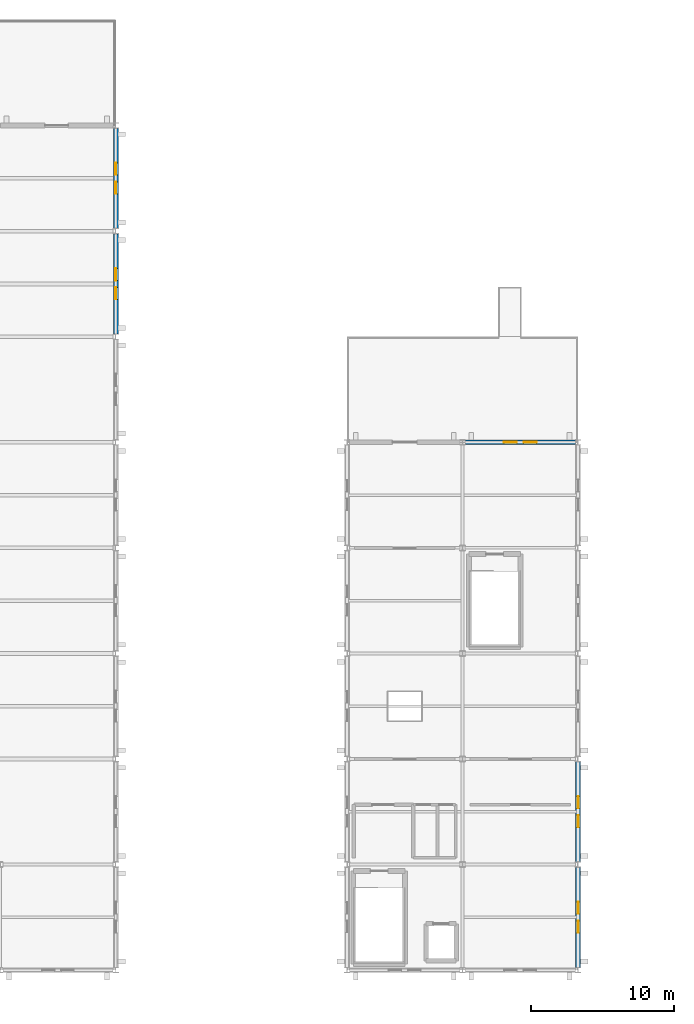
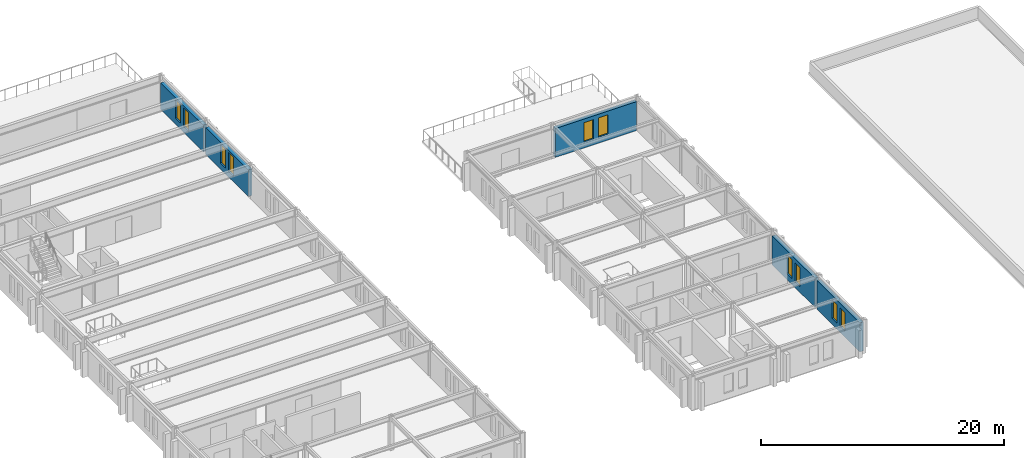
# One storey, part 14 of 19: 10 windows, 5 walls, 10 openings.
"""IFC4 building model written with IfcOpenShell, lengths in metres."""

from ifc_helpers import new_model, si_unit, direction, frame, frame_2d, origin, place, context, subcontext, project, spatial, rectangle, extrude, material, layer, layer_set, type_object, element, fill, save


model = new_model("IFC4")

# Units and contexts
model_context = context("Model", 3, precision=1e-05, world=origin(), true_north=direction((0.0, 1.0)))
body_context = subcontext(model_context, "Body", "Model", "MODEL_VIEW")
ifc_project = project(units=[si_unit("LENGTHUNIT", "METRE"), si_unit("AREAUNIT", "SQUARE_METRE"), si_unit("VOLUMEUNIT", "CUBIC_METRE"), si_unit("PLANEANGLEUNIT", "RADIAN"), si_unit("MASSUNIT", "GRAM", prefix="KILO")], contexts=[model_context])

# Site, building, storey
site_placement = place(None, origin())
site = spatial("IfcSite", under=ifc_project, at=site_placement, CompositionType="ELEMENT")
building_placement = place(site_placement, origin())
building = spatial("IfcBuilding", under=site, at=building_placement, Name="Cimatlan Art Gallery", CompositionType="ELEMENT")
storey_placement = place(building_placement, frame((0.0, 0.0, 17.39990234375)))
storey = spatial("IfcBuildingStorey", under=building, at=storey_placement, Name="L04", CompositionType="ELEMENT", Elevation=17.39990234375)

# Wall, openings, windows
ifc_material_1 = material(Name="Precast concrete C40/50", Category="concrete")
ifc_layer = layer(ifc_material_1, 0.340087890625)
ifc_layer_set = layer_set([ifc_layer], Name="Precast concrete C40/50")
wall_type = type_object("IfcWallType", Name="WL-EXT-STD-340", PredefinedType="SOLIDWALL", material=ifc_layer_set)
wall_1_placement = place(storey_placement, frame((99.199951171875, 75.508056640625, 0.0), z_axis=(0.0, 0.0, 1.0), x_axis=(0.0, -1.0, 0.0)))
wall_1 = element("IfcWall", 1, at=wall_1_placement, inside=storey, type_object=wall_type, Name="WL-EXT-L04-11-09-E", PredefinedType="SOLIDWALL", context=body_context, shape_type="SweptSolid", body=[
    extrude(rectangle(XDim=7.01611328125, YDim=0.340087890625, at=frame_2d((3.508056640625, 0.0))), origin(), (0.0, 0.0, 1.0), 2.68115234375),
])
opening_1_placement = place(wall_1_placement, frame((2.41796875, 0.0, 0.60009765625)))
opening_1 = element("IfcOpeningElement", 2, at=opening_1_placement, cuts=wall_1, Name="Opening WN-0365", PredefinedType="OPENING", context=body_context, shape_type="SweptSolid", body=[
    extrude(rectangle(XDim=0.85009765625, YDim=1.8798828125, at=frame_2d((0.425048828125, 0.93994140625))), frame((0.0, 0.18017578125, 0.0), z_axis=(0.0, -1.0, 0.0), x_axis=(1.0, 0.0, 0.0)), (0.0, 0.0, 1.0), 0.360107421875),
])
opening_2_placement = place(wall_1_placement, frame((3.748046875, 0.0, 0.60009765625)))
opening_2 = element("IfcOpeningElement", 3, at=opening_2_placement, cuts=wall_1, Name="Opening WN-0366", PredefinedType="OPENING", context=body_context, shape_type="SweptSolid", body=[
    extrude(rectangle(XDim=0.85009765625, YDim=1.8798828125, at=frame_2d((0.425048828125, 0.93994140625))), frame((0.0, 0.18017578125, 0.0), z_axis=(0.0, -1.0, 0.0), x_axis=(1.0, 0.0, 0.0)), (0.0, 0.0, 1.0), 0.360107421875),
])
ifc_material_2 = material(Name="Low-E laminated double glazing in bronze lancet frame", Category="glass")
window_type_1 = type_object("IfcWindowType", Name="WIN-E-L04-0850X1880", PartitioningType="SINGLE_PANEL", PredefinedType="WINDOW", material=ifc_material_2)
window_1_placement = place(opening_1_placement, origin())
window_1 = element("IfcWindow", 4, at=window_1_placement, inside=storey, type_object=window_type_1, Name="WIN-0365", OverallHeight=1.8798828125, OverallWidth=0.85009765625, PartitioningType="SINGLE_PANEL", PredefinedType="WINDOW", context=body_context, shape_type="SweptSolid", body=[
    extrude(rectangle(XDim=0.85009765625, YDim=1.8798828125, at=frame_2d((0.425048828125, 0.93994140625))), frame((0.0, 0.030029296875, 0.0), z_axis=(0.0, -1.0, 0.0), x_axis=(1.0, 0.0, 0.0)), (0.0, 0.0, 1.0), 0.06005859375),
])
fill(opening_1, window_1)
window_2_placement = place(opening_2_placement, origin())
window_2 = element("IfcWindow", 5, at=window_2_placement, inside=storey, type_object=window_type_1, Name="WIN-0366", OverallHeight=1.8798828125, OverallWidth=0.85009765625, PartitioningType="SINGLE_PANEL", PredefinedType="WINDOW", context=body_context, shape_type="SweptSolid", body=[
    extrude(rectangle(XDim=0.85009765625, YDim=1.8798828125, at=frame_2d((0.425048828125, 0.93994140625))), frame((0.0, 0.030029296875, 0.0), z_axis=(0.0, -1.0, 0.0), x_axis=(1.0, 0.0, 0.0)), (0.0, 0.0, 1.0), 0.06005859375),
])
fill(opening_2, window_2)

wall_2_placement = place(storey_placement, frame((99.199951171875, 82.907958984375, 0.0), z_axis=(0.0, 0.0, 1.0), x_axis=(0.0, -1.0, 0.0)))
wall_2 = element("IfcWall", 6, at=wall_2_placement, inside=storey, type_object=wall_type, Name="WL-EXT-L04-11-10-E", PredefinedType="SOLIDWALL", context=body_context, shape_type="SweptSolid", body=[
    extrude(rectangle(XDim=7.015869140625, YDim=0.340087890625, at=frame_2d((3.5078125, 0.0))), origin(), (0.0, 0.0, 1.0), 2.68115234375),
])
opening_3_placement = place(wall_2_placement, frame((2.41796875, 0.0, 0.60009765625)))
opening_3 = element("IfcOpeningElement", 7, at=opening_3_placement, cuts=wall_2, Name="Opening WN-0367", PredefinedType="OPENING", context=body_context, shape_type="SweptSolid", body=[
    extrude(rectangle(XDim=0.85009765625, YDim=1.8798828125, at=frame_2d((0.425048828125, 0.93994140625))), frame((0.0, 0.18017578125, 0.0), z_axis=(0.0, -1.0, 0.0), x_axis=(1.0, 0.0, 0.0)), (0.0, 0.0, 1.0), 0.360107421875),
])
opening_4_placement = place(wall_2_placement, frame((3.748046875, 0.0, 0.60009765625)))
opening_4 = element("IfcOpeningElement", 8, at=opening_4_placement, cuts=wall_2, Name="Opening WN-0368", PredefinedType="OPENING", context=body_context, shape_type="SweptSolid", body=[
    extrude(rectangle(XDim=0.85009765625, YDim=1.8798828125, at=frame_2d((0.425048828125, 0.93994140625))), frame((0.0, 0.18017578125, 0.0), z_axis=(0.0, -1.0, 0.0), x_axis=(1.0, 0.0, 0.0)), (0.0, 0.0, 1.0), 0.360107421875),
])
window_3_placement = place(opening_3_placement, origin())
window_3 = element("IfcWindow", 9, at=window_3_placement, inside=storey, type_object=window_type_1, Name="WIN-0367", OverallHeight=1.8798828125, OverallWidth=0.85009765625, PartitioningType="SINGLE_PANEL", PredefinedType="WINDOW", context=body_context, shape_type="SweptSolid", body=[
    extrude(rectangle(XDim=0.85009765625, YDim=1.8798828125, at=frame_2d((0.425048828125, 0.93994140625))), frame((0.0, 0.030029296875, 0.0), z_axis=(0.0, -1.0, 0.0), x_axis=(1.0, 0.0, 0.0)), (0.0, 0.0, 1.0), 0.06005859375),
])
fill(opening_3, window_3)
window_4_placement = place(opening_4_placement, origin())
window_4 = element("IfcWindow", 10, at=window_4_placement, inside=storey, type_object=window_type_1, Name="WIN-0368", OverallHeight=1.8798828125, OverallWidth=0.85009765625, PartitioningType="SINGLE_PANEL", PredefinedType="WINDOW", context=body_context, shape_type="SweptSolid", body=[
    extrude(rectangle(XDim=0.85009765625, YDim=1.8798828125, at=frame_2d((0.425048828125, 0.93994140625))), frame((0.0, 0.030029296875, 0.0), z_axis=(0.0, -1.0, 0.0), x_axis=(1.0, 0.0, 0.0)), (0.0, 0.0, 1.0), 0.06005859375),
])
fill(opening_4, window_4)

wall_3_placement = place(storey_placement, frame((131.60009765625, 31.110107421875, 0.0), z_axis=(0.0, 0.0, 1.0), x_axis=(0.0, -1.0, 0.0)))
wall_3 = element("IfcWall", 11, at=wall_3_placement, inside=storey, type_object=wall_type, Name="WL-EXT-L04-15-03-E", PredefinedType="SOLIDWALL", context=body_context, shape_type="SweptSolid", body=[
    extrude(rectangle(XDim=7.02001953125, YDim=0.340087890625, at=frame_2d((3.510009765625, 0.0))), origin(), (0.0, 0.0, 1.0), 2.908203125),
])
opening_5_placement = place(wall_3_placement, frame((2.419921875, 0.0, 0.60009765625)))
opening_5 = element("IfcOpeningElement", 12, at=opening_5_placement, cuts=wall_3, Name="Opening WN-0383", PredefinedType="OPENING", context=body_context, shape_type="SweptSolid", body=[
    extrude(rectangle(XDim=0.85009765625, YDim=1.8798828125, at=frame_2d((0.425048828125, 0.93994140625))), frame((0.0, 0.18017578125, 0.0), z_axis=(0.0, -1.0, 0.0), x_axis=(1.0, 0.0, 0.0)), (0.0, 0.0, 1.0), 0.360107421875),
])
opening_6_placement = place(wall_3_placement, frame((3.75, 0.0, 0.60009765625)))
opening_6 = element("IfcOpeningElement", 13, at=opening_6_placement, cuts=wall_3, Name="Opening WN-0384", PredefinedType="OPENING", context=body_context, shape_type="SweptSolid", body=[
    extrude(rectangle(XDim=0.85009765625, YDim=1.8798828125, at=frame_2d((0.425048828125, 0.93994140625))), frame((0.0, 0.18017578125, 0.0), z_axis=(0.0, -1.0, 0.0), x_axis=(1.0, 0.0, 0.0)), (0.0, 0.0, 1.0), 0.360107421875),
])
window_5_placement = place(opening_5_placement, origin())
window_5 = element("IfcWindow", 14, at=window_5_placement, inside=storey, type_object=window_type_1, Name="WIN-0383", OverallHeight=1.8798828125, OverallWidth=0.85009765625, PartitioningType="SINGLE_PANEL", PredefinedType="WINDOW", context=body_context, shape_type="SweptSolid", body=[
    extrude(rectangle(XDim=0.85009765625, YDim=1.8798828125, at=frame_2d((0.425048828125, 0.93994140625))), frame((0.0, 0.030029296875, 0.0), z_axis=(0.0, -1.0, 0.0), x_axis=(1.0, 0.0, 0.0)), (0.0, 0.0, 1.0), 0.06005859375),
])
fill(opening_5, window_5)
window_6_placement = place(opening_6_placement, origin())
window_6 = element("IfcWindow", 15, at=window_6_placement, inside=storey, type_object=window_type_1, Name="WIN-0384", OverallHeight=1.8798828125, OverallWidth=0.85009765625, PartitioningType="SINGLE_PANEL", PredefinedType="WINDOW", context=body_context, shape_type="SweptSolid", body=[
    extrude(rectangle(XDim=0.85009765625, YDim=1.8798828125, at=frame_2d((0.425048828125, 0.93994140625))), frame((0.0, 0.030029296875, 0.0), z_axis=(0.0, -1.0, 0.0), x_axis=(1.0, 0.0, 0.0)), (0.0, 0.0, 1.0), 0.06005859375),
])
fill(opening_6, window_6)

wall_4_placement = place(storey_placement, frame((131.60009765625, 38.510009765625, 0.0), z_axis=(0.0, 0.0, 1.0), x_axis=(0.0, -1.0, 0.0)))
wall_4 = element("IfcWall", 16, at=wall_4_placement, inside=storey, type_object=wall_type, Name="WL-EXT-L04-15-04-E", PredefinedType="SOLIDWALL", context=body_context, shape_type="SweptSolid", body=[
    extrude(rectangle(XDim=7.02001953125, YDim=0.340087890625, at=frame_2d((3.510009765625, 0.0))), origin(), (0.0, 0.0, 1.0), 2.908203125),
])
opening_7_placement = place(wall_4_placement, frame((2.419921875, 0.0, 0.60009765625)))
opening_7 = element("IfcOpeningElement", 17, at=opening_7_placement, cuts=wall_4, Name="Opening WN-0385", PredefinedType="OPENING", context=body_context, shape_type="SweptSolid", body=[
    extrude(rectangle(XDim=0.85009765625, YDim=1.8798828125, at=frame_2d((0.425048828125, 0.93994140625))), frame((0.0, 0.18017578125, 0.0), z_axis=(0.0, -1.0, 0.0), x_axis=(1.0, 0.0, 0.0)), (0.0, 0.0, 1.0), 0.360107421875),
])
opening_8_placement = place(wall_4_placement, frame((3.75, 0.0, 0.60009765625)))
opening_8 = element("IfcOpeningElement", 18, at=opening_8_placement, cuts=wall_4, Name="Opening WN-0386", PredefinedType="OPENING", context=body_context, shape_type="SweptSolid", body=[
    extrude(rectangle(XDim=0.85009765625, YDim=1.8798828125, at=frame_2d((0.425048828125, 0.93994140625))), frame((0.0, 0.18017578125, 0.0), z_axis=(0.0, -1.0, 0.0), x_axis=(1.0, 0.0, 0.0)), (0.0, 0.0, 1.0), 0.360107421875),
])
window_7_placement = place(opening_7_placement, origin())
window_7 = element("IfcWindow", 19, at=window_7_placement, inside=storey, type_object=window_type_1, Name="WIN-0385", OverallHeight=1.8798828125, OverallWidth=0.85009765625, PartitioningType="SINGLE_PANEL", PredefinedType="WINDOW", context=body_context, shape_type="SweptSolid", body=[
    extrude(rectangle(XDim=0.85009765625, YDim=1.8798828125, at=frame_2d((0.425048828125, 0.93994140625))), frame((0.0, 0.030029296875, 0.0), z_axis=(0.0, -1.0, 0.0), x_axis=(1.0, 0.0, 0.0)), (0.0, 0.0, 1.0), 0.06005859375),
])
fill(opening_7, window_7)
window_8_placement = place(opening_8_placement, origin())
window_8 = element("IfcWindow", 20, at=window_8_placement, inside=storey, type_object=window_type_1, Name="WIN-0386", OverallHeight=1.8798828125, OverallWidth=0.85009765625, PartitioningType="SINGLE_PANEL", PredefinedType="WINDOW", context=body_context, shape_type="SweptSolid", body=[
    extrude(rectangle(XDim=0.85009765625, YDim=1.8798828125, at=frame_2d((0.425048828125, 0.93994140625))), frame((0.0, 0.030029296875, 0.0), z_axis=(0.0, -1.0, 0.0), x_axis=(1.0, 0.0, 0.0)), (0.0, 0.0, 1.0), 0.06005859375),
])
fill(opening_8, window_8)

wall_5_placement = place(storey_placement, frame((123.69091796875, 60.89990234375, 0.0), z_axis=(0.0, 0.0, 1.0), x_axis=(1.0, 0.0, 0.0)))
wall_5 = element("IfcWall", 21, at=wall_5_placement, inside=storey, type_object=wall_type, Name="WL-EXT-L04-15-07-N", PredefinedType="SOLIDWALL", context=body_context, shape_type="SweptSolid", body=[
    extrude(rectangle(XDim=7.718017578125, YDim=0.340087890625, at=frame_2d((3.85888671875, 0.0))), origin(), (0.0, 0.0, 1.0), 2.908203125),
])
opening_9_placement = place(wall_5_placement, frame((2.708984375, 0.0, 0.60009765625)))
opening_9 = element("IfcOpeningElement", 22, at=opening_9_placement, cuts=wall_5, Name="Opening WN-0391", PredefinedType="OPENING", context=body_context, shape_type="SweptSolid", body=[
    extrude(rectangle(XDim=0.909912109375, YDim=1.93994140625, at=frame_2d((0.455078125, 0.969970703125))), frame((0.0, 0.18017578125, 0.0), z_axis=(0.0, -1.0, 0.0), x_axis=(1.0, 0.0, 0.0)), (0.0, 0.0, 1.0), 0.360107421875),
])
opening_10_placement = place(wall_5_placement, frame((4.09912109375, 0.0, 0.60009765625)))
opening_10 = element("IfcOpeningElement", 23, at=opening_10_placement, cuts=wall_5, Name="Opening WN-0392", PredefinedType="OPENING", context=body_context, shape_type="SweptSolid", body=[
    extrude(rectangle(XDim=0.909912109375, YDim=1.93994140625, at=frame_2d((0.455078125, 0.969970703125))), frame((0.0, 0.18017578125, 0.0), z_axis=(0.0, -1.0, 0.0), x_axis=(1.0, 0.0, 0.0)), (0.0, 0.0, 1.0), 0.360107421875),
])
window_type_2 = type_object("IfcWindowType", Name="WIN-N-L04-0910X1940", PartitioningType="SINGLE_PANEL", PredefinedType="WINDOW", material=ifc_material_2)
window_9_placement = place(opening_9_placement, origin())
window_9 = element("IfcWindow", 24, at=window_9_placement, inside=storey, type_object=window_type_2, Name="WIN-0391", OverallHeight=1.93994140625, OverallWidth=0.909912109375, PartitioningType="SINGLE_PANEL", PredefinedType="WINDOW", context=body_context, shape_type="SweptSolid", body=[
    extrude(rectangle(XDim=0.909912109375, YDim=1.93994140625, at=frame_2d((0.455078125, 0.969970703125))), frame((0.0, 0.030029296875, 0.0), z_axis=(0.0, -1.0, 0.0), x_axis=(1.0, 0.0, 0.0)), (0.0, 0.0, 1.0), 0.06005859375),
])
fill(opening_9, window_9)
window_10_placement = place(opening_10_placement, origin())
window_10 = element("IfcWindow", 25, at=window_10_placement, inside=storey, type_object=window_type_2, Name="WIN-0392", OverallHeight=1.93994140625, OverallWidth=0.909912109375, PartitioningType="SINGLE_PANEL", PredefinedType="WINDOW", context=body_context, shape_type="SweptSolid", body=[
    extrude(rectangle(XDim=0.909912109375, YDim=1.93994140625, at=frame_2d((0.455078125, 0.969970703125))), frame((0.0, 0.030029296875, 0.0), z_axis=(0.0, -1.0, 0.0), x_axis=(1.0, 0.0, 0.0)), (0.0, 0.0, 1.0), 0.06005859375),
])
fill(opening_10, window_10)

save(model, "model.ifc")
